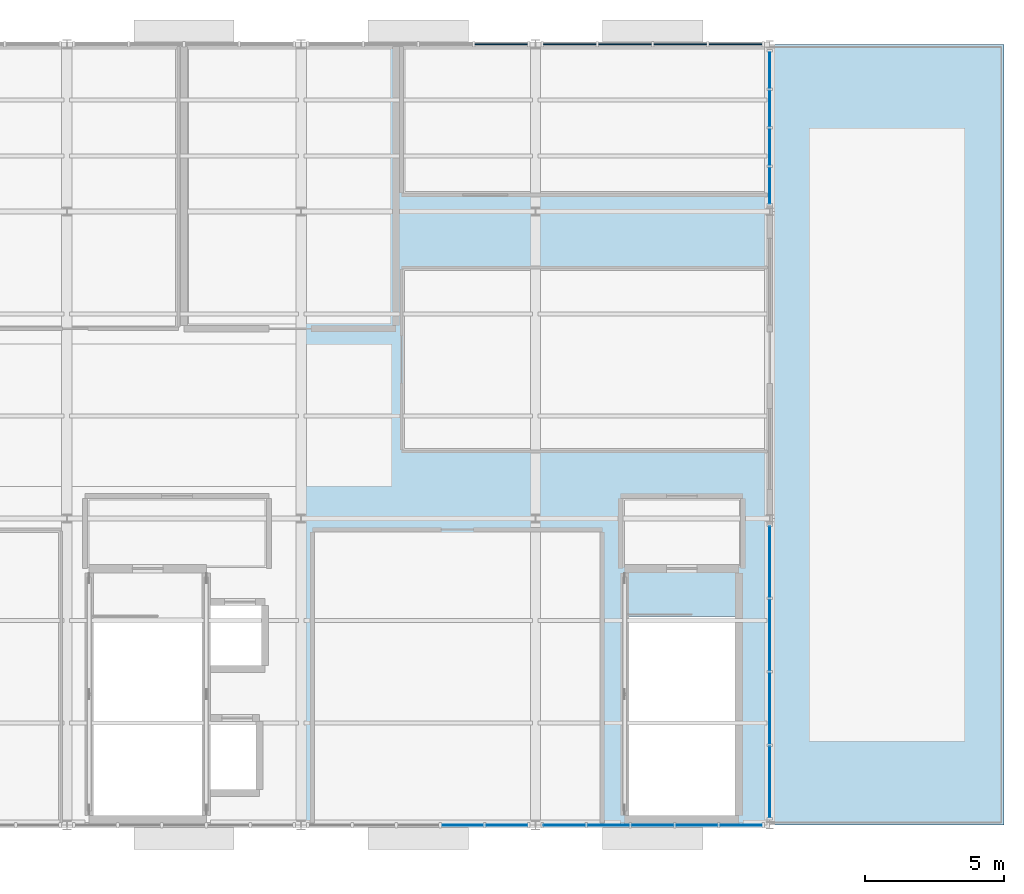
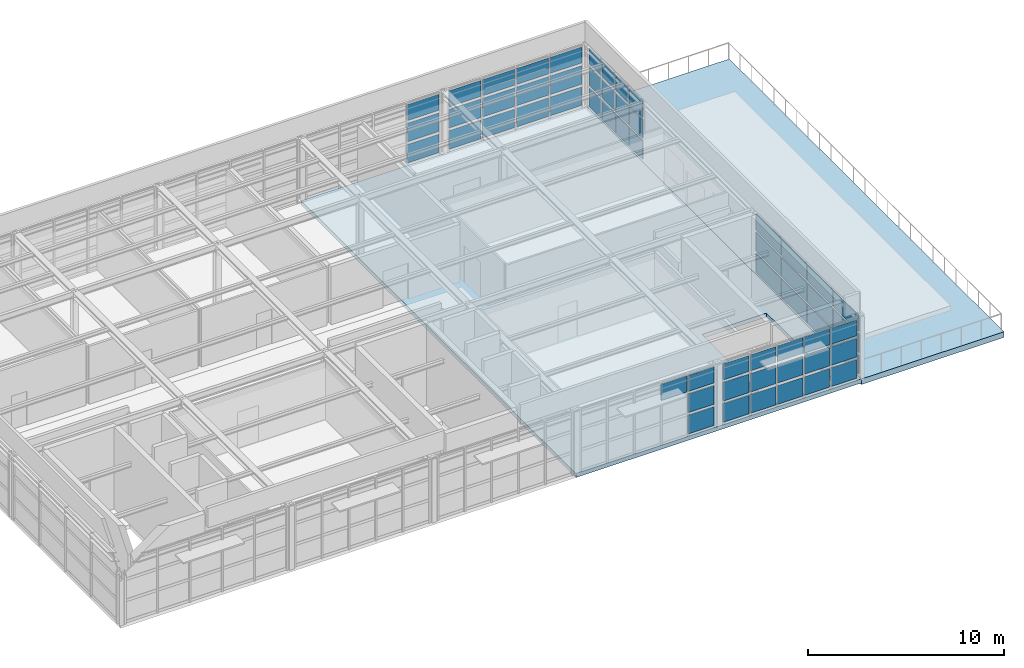
# One storey, part 13 of 18: 58 plates, 2 slabs, 6 elements without a shape of their own.
"""IFC4 building model written with IfcOpenShell, lengths in metres."""

from ifc_helpers import new_model, si_unit, direction, frame, origin, origin_2d, place, context, subcontext, project, spatial, polyline, rectangle, outline, extrude, material, layer, layer_set, type_object, element, aggregate, save


model = new_model("IFC4")

# Units and contexts
model_context = context("Model", 3, precision=1e-05, world=origin(), true_north=direction((0.0, 1.0)))
body_context = subcontext(model_context, "Body", "Model", "MODEL_VIEW")
ifc_project = project(units=[si_unit("LENGTHUNIT", "METRE"), si_unit("AREAUNIT", "SQUARE_METRE"), si_unit("VOLUMEUNIT", "CUBIC_METRE"), si_unit("PLANEANGLEUNIT", "RADIAN"), si_unit("MASSUNIT", "GRAM", prefix="KILO")], contexts=[model_context])

# Site, building, storey
site_placement = place(None, origin())
site = spatial("IfcSite", under=ifc_project, at=site_placement, CompositionType="ELEMENT")
building_placement = place(site_placement, origin())
building = spatial("IfcBuilding", under=site, at=building_placement, Name="Sitalva Quay Ferry Terminal", CompositionType="ELEMENT")
storey_placement = place(building_placement, frame((0.0, 0.0, 18.60009765625)))
storey = spatial("IfcBuildingStorey", under=building, at=storey_placement, Name="L05", CompositionType="ELEMENT", Elevation=18.60009765625)

# Curtain wall, plates
ifc_material_1 = material(Name="Anodised Aluminium & Low-E Glazing", Category="aluminium")
ifc_layer_1 = layer(ifc_material_1, 0.159912109375)
ifc_layer_set_1 = layer_set([ifc_layer_1], Name="Anodised Aluminium & Low-E Glazing")
curtain_wall_type = type_object("IfcCurtainWallType", Name="CW_VTS_Sloped", PredefinedType="USERDEFINED", material=ifc_layer_set_1)
curtain_wall_1_placement = place(storey_placement, origin())
curtain_wall_1 = element("IfcCurtainWall", 1, at=curtain_wall_1_placement, inside=storey, type_object=curtain_wall_type, Name="L05 VTS bridge north glazing (CW-L05-161)", ObjectType="CURTAIN_WALL", PredefinedType="USERDEFINED")
ifc_material_2 = material(Name="Anti-Glare Bridge Laminated Glazing", Category="glass")
ifc_layer_2 = layer(ifc_material_2, 0.0380859375)
ifc_layer_set_2 = layer_set([ifc_layer_2], Name="Anti-Glare Bridge Laminated Glazing")
plate_type_1 = type_object("IfcPlateType", Name="Panel_Bridge_IGU_38", PredefinedType="CURTAIN_PANEL", material=ifc_layer_set_2)
plate_1_placement = place(storey_placement, frame((107.969970703125, 106.0, 1.48486328125), z_axis=(0.0, 0.0, 1.0), x_axis=(1.0, 0.0, 0.0)))
plate_1 = element("IfcPlate", 2, at=plate_1_placement, type_object=plate_type_1, Name="CW-L05-161-P3-1", PredefinedType="CURTAIN_PANEL", context=body_context, shape_type="SweptSolid", body=[
    extrude(rectangle(XDim=1.889892578125, YDim=0.0380859375, at=origin_2d()), origin(), (0.0, 0.0, 1.0), 1.155029296875),
])
plate_2_placement = place(storey_placement, frame((107.969970703125, 106.0, 2.8046875), z_axis=(0.0, 0.0, 1.0), x_axis=(1.0, 0.0, 0.0)))
plate_2 = element("IfcPlate", 3, at=plate_2_placement, type_object=plate_type_1, Name="CW-L05-161-P3-2", PredefinedType="CURTAIN_PANEL", context=body_context, shape_type="SweptSolid", body=[
    extrude(rectangle(XDim=1.889892578125, YDim=0.0380859375, at=origin_2d()), origin(), (0.0, 0.0, 1.0), 0.989990234375),
])

curtain_wall_2_placement = place(storey_placement, origin())
curtain_wall_2 = element("IfcCurtainWall", 4, at=curtain_wall_2_placement, inside=storey, type_object=curtain_wall_type, Name="L05 VTS bridge north glazing (CW-L05-163)", ObjectType="CURTAIN_WALL", PredefinedType="USERDEFINED")
plate_3_placement = place(storey_placement, frame((110.429931640625, 106.0, 1.48486328125), z_axis=(0.0, 0.0, 1.0), x_axis=(1.0, 0.0, 0.0)))
plate_3 = element("IfcPlate", 5, at=plate_3_placement, type_object=plate_type_1, Name="CW-L05-163-P0-1", PredefinedType="CURTAIN_PANEL", context=body_context, shape_type="SweptSolid", body=[
    extrude(rectangle(XDim=1.889892578125, YDim=0.0380859375, at=origin_2d()), origin(), (0.0, 0.0, 1.0), 1.155029296875),
])
plate_4_placement = place(storey_placement, frame((110.429931640625, 106.0, 2.8046875), z_axis=(0.0, 0.0, 1.0), x_axis=(1.0, 0.0, 0.0)))
plate_4 = element("IfcPlate", 6, at=plate_4_placement, type_object=plate_type_1, Name="CW-L05-163-P0-2", PredefinedType="CURTAIN_PANEL", context=body_context, shape_type="SweptSolid", body=[
    extrude(rectangle(XDim=1.889892578125, YDim=0.0380859375, at=origin_2d()), origin(), (0.0, 0.0, 1.0), 0.989990234375),
])
plate_5_placement = place(storey_placement, frame((112.409912109375, 106.0, 1.48486328125), z_axis=(0.0, 0.0, 1.0), x_axis=(1.0, 0.0, 0.0)))
plate_5 = element("IfcPlate", 7, at=plate_5_placement, type_object=plate_type_1, Name="CW-L05-163-P1-1", PredefinedType="CURTAIN_PANEL", context=body_context, shape_type="SweptSolid", body=[
    extrude(rectangle(XDim=1.889892578125, YDim=0.0380859375, at=origin_2d()), origin(), (0.0, 0.0, 1.0), 1.155029296875),
])
plate_6_placement = place(storey_placement, frame((112.409912109375, 106.0, 2.8046875), z_axis=(0.0, 0.0, 1.0), x_axis=(1.0, 0.0, 0.0)))
plate_6 = element("IfcPlate", 8, at=plate_6_placement, type_object=plate_type_1, Name="CW-L05-163-P1-2", PredefinedType="CURTAIN_PANEL", context=body_context, shape_type="SweptSolid", body=[
    extrude(rectangle(XDim=1.889892578125, YDim=0.0380859375, at=origin_2d()), origin(), (0.0, 0.0, 1.0), 0.989990234375),
])
plate_7_placement = place(storey_placement, frame((114.389892578125, 106.0, 1.48486328125), z_axis=(0.0, 0.0, 1.0), x_axis=(1.0, 0.0, 0.0)))
plate_7 = element("IfcPlate", 9, at=plate_7_placement, type_object=plate_type_1, Name="CW-L05-163-P2-1", PredefinedType="CURTAIN_PANEL", context=body_context, shape_type="SweptSolid", body=[
    extrude(rectangle(XDim=1.889892578125, YDim=0.0380859375, at=origin_2d()), origin(), (0.0, 0.0, 1.0), 1.155029296875),
])
plate_8_placement = place(storey_placement, frame((114.389892578125, 106.0, 2.8046875), z_axis=(0.0, 0.0, 1.0), x_axis=(1.0, 0.0, 0.0)))
plate_8 = element("IfcPlate", 10, at=plate_8_placement, type_object=plate_type_1, Name="CW-L05-163-P2-2", PredefinedType="CURTAIN_PANEL", context=body_context, shape_type="SweptSolid", body=[
    extrude(rectangle(XDim=1.889892578125, YDim=0.0380859375, at=origin_2d()), origin(), (0.0, 0.0, 1.0), 0.989990234375),
])
plate_9_placement = place(storey_placement, frame((116.3701171875, 106.0, 1.48486328125), z_axis=(0.0, 0.0, 1.0), x_axis=(1.0, 0.0, 0.0)))
plate_9 = element("IfcPlate", 11, at=plate_9_placement, type_object=plate_type_1, Name="CW-L05-163-P3-1", PredefinedType="CURTAIN_PANEL", context=body_context, shape_type="SweptSolid", body=[
    extrude(rectangle(XDim=1.889892578125, YDim=0.0380859375, at=origin_2d()), origin(), (0.0, 0.0, 1.0), 1.155029296875),
])
plate_10_placement = place(storey_placement, frame((116.3701171875, 106.0, 2.8046875), z_axis=(0.0, 0.0, 1.0), x_axis=(1.0, 0.0, 0.0)))
plate_10 = element("IfcPlate", 12, at=plate_10_placement, type_object=plate_type_1, Name="CW-L05-163-P3-2", PredefinedType="CURTAIN_PANEL", context=body_context, shape_type="SweptSolid", body=[
    extrude(rectangle(XDim=1.889892578125, YDim=0.0380859375, at=origin_2d()), origin(), (0.0, 0.0, 1.0), 0.989990234375),
])

curtain_wall_3_placement = place(storey_placement, origin())
curtain_wall_3 = element("IfcCurtainWall", 13, at=curtain_wall_3_placement, inside=storey, type_object=curtain_wall_type, Name="L05 VTS east panoramic glazing (CW-L05-150)", ObjectType="CURTAIN_WALL", PredefinedType="USERDEFINED")
ifc_material_3 = material(Name="Acoustic Laminated Marine Glazing", Category="glass")
ifc_layer_3 = layer(ifc_material_3, 0.033935546875)
ifc_layer_set_3 = layer_set([ifc_layer_3], Name="Acoustic Laminated Marine Glazing")
plate_type_2 = type_object("IfcPlateType", Name="Panel_Marine_IGU_34", PredefinedType="CURTAIN_PANEL", material=ifc_layer_set_3)
plate_11_placement = place(storey_placement, frame((117.60009765625, 79.554931640625, 0.1650390625), z_axis=(0.0, 0.0, 1.0), x_axis=(0.0, 1.0, 0.0)))
plate_11 = element("IfcPlate", 14, at=plate_11_placement, type_object=plate_type_2, Name="CW-L05-150-P0-0", PredefinedType="CURTAIN_PANEL", context=body_context, shape_type="SweptSolid", body=[
    extrude(rectangle(XDim=2.5400390625, YDim=0.033935546875, at=origin_2d()), origin(), (0.0, 0.0, 1.0), 1.155029296875),
])
plate_12_placement = place(storey_placement, frame((117.60009765625, 79.554931640625, 1.48486328125), z_axis=(0.0, 0.0, 1.0), x_axis=(0.0, 1.0, 0.0)))
plate_12 = element("IfcPlate", 15, at=plate_12_placement, type_object=plate_type_2, Name="CW-L05-150-P0-1", PredefinedType="CURTAIN_PANEL", context=body_context, shape_type="SweptSolid", body=[
    extrude(rectangle(XDim=2.5400390625, YDim=0.033935546875, at=origin_2d()), origin(), (0.0, 0.0, 1.0), 1.155029296875),
])
plate_13_placement = place(storey_placement, frame((117.60009765625, 79.554931640625, 2.8046875), z_axis=(0.0, 0.0, 1.0), x_axis=(0.0, 1.0, 0.0)))
plate_13 = element("IfcPlate", 16, at=plate_13_placement, type_object=plate_type_2, Name="CW-L05-150-P0-2", PredefinedType="CURTAIN_PANEL", context=body_context, shape_type="SweptSolid", body=[
    extrude(rectangle(XDim=2.5400390625, YDim=0.033935546875, at=origin_2d()), origin(), (0.0, 0.0, 1.0), 0.989990234375),
])
plate_14_placement = place(storey_placement, frame((117.60009765625, 82.18505859375, 0.1650390625), z_axis=(0.0, 0.0, 1.0), x_axis=(0.0, 1.0, 0.0)))
plate_14 = element("IfcPlate", 17, at=plate_14_placement, type_object=plate_type_2, Name="CW-L05-150-P1-0", PredefinedType="CURTAIN_PANEL", context=body_context, shape_type="SweptSolid", body=[
    extrude(rectangle(XDim=2.5400390625, YDim=0.033935546875, at=origin_2d()), origin(), (0.0, 0.0, 1.0), 1.155029296875),
])
plate_15_placement = place(storey_placement, frame((117.60009765625, 82.18505859375, 1.48486328125), z_axis=(0.0, 0.0, 1.0), x_axis=(0.0, 1.0, 0.0)))
plate_15 = element("IfcPlate", 18, at=plate_15_placement, type_object=plate_type_2, Name="CW-L05-150-P1-1", PredefinedType="CURTAIN_PANEL", context=body_context, shape_type="SweptSolid", body=[
    extrude(rectangle(XDim=2.5400390625, YDim=0.033935546875, at=origin_2d()), origin(), (0.0, 0.0, 1.0), 1.155029296875),
])
plate_16_placement = place(storey_placement, frame((117.60009765625, 82.18505859375, 2.8046875), z_axis=(0.0, 0.0, 1.0), x_axis=(0.0, 1.0, 0.0)))
plate_16 = element("IfcPlate", 19, at=plate_16_placement, type_object=plate_type_2, Name="CW-L05-150-P1-2", PredefinedType="CURTAIN_PANEL", context=body_context, shape_type="SweptSolid", body=[
    extrude(rectangle(XDim=2.5400390625, YDim=0.033935546875, at=origin_2d()), origin(), (0.0, 0.0, 1.0), 0.989990234375),
])
plate_17_placement = place(storey_placement, frame((117.60009765625, 84.81494140625, 0.1650390625), z_axis=(0.0, 0.0, 1.0), x_axis=(0.0, 1.0, 0.0)))
plate_17 = element("IfcPlate", 20, at=plate_17_placement, type_object=plate_type_2, Name="CW-L05-150-P2-0", PredefinedType="CURTAIN_PANEL", context=body_context, shape_type="SweptSolid", body=[
    extrude(rectangle(XDim=2.5400390625, YDim=0.033935546875, at=origin_2d()), origin(), (0.0, 0.0, 1.0), 1.155029296875),
])
plate_18_placement = place(storey_placement, frame((117.60009765625, 84.81494140625, 1.48486328125), z_axis=(0.0, 0.0, 1.0), x_axis=(0.0, 1.0, 0.0)))
plate_18 = element("IfcPlate", 21, at=plate_18_placement, type_object=plate_type_2, Name="CW-L05-150-P2-1", PredefinedType="CURTAIN_PANEL", context=body_context, shape_type="SweptSolid", body=[
    extrude(rectangle(XDim=2.5400390625, YDim=0.033935546875, at=origin_2d()), origin(), (0.0, 0.0, 1.0), 1.155029296875),
])
plate_19_placement = place(storey_placement, frame((117.60009765625, 84.81494140625, 2.8046875), z_axis=(0.0, 0.0, 1.0), x_axis=(0.0, 1.0, 0.0)))
plate_19 = element("IfcPlate", 22, at=plate_19_placement, type_object=plate_type_2, Name="CW-L05-150-P2-2", PredefinedType="CURTAIN_PANEL", context=body_context, shape_type="SweptSolid", body=[
    extrude(rectangle(XDim=2.5400390625, YDim=0.033935546875, at=origin_2d()), origin(), (0.0, 0.0, 1.0), 0.989990234375),
])
plate_20_placement = place(storey_placement, frame((117.60009765625, 87.445068359375, 0.1650390625), z_axis=(0.0, 0.0, 1.0), x_axis=(0.0, 1.0, 0.0)))
plate_20 = element("IfcPlate", 23, at=plate_20_placement, type_object=plate_type_2, Name="CW-L05-150-P3-0", PredefinedType="CURTAIN_PANEL", context=body_context, shape_type="SweptSolid", body=[
    extrude(rectangle(XDim=2.5400390625, YDim=0.033935546875, at=origin_2d()), origin(), (0.0, 0.0, 1.0), 1.155029296875),
])
plate_21_placement = place(storey_placement, frame((117.60009765625, 87.445068359375, 1.48486328125), z_axis=(0.0, 0.0, 1.0), x_axis=(0.0, 1.0, 0.0)))
plate_21 = element("IfcPlate", 24, at=plate_21_placement, type_object=plate_type_2, Name="CW-L05-150-P3-1", PredefinedType="CURTAIN_PANEL", context=body_context, shape_type="SweptSolid", body=[
    extrude(rectangle(XDim=2.5400390625, YDim=0.033935546875, at=origin_2d()), origin(), (0.0, 0.0, 1.0), 1.155029296875),
])
plate_22_placement = place(storey_placement, frame((117.60009765625, 87.445068359375, 2.8046875), z_axis=(0.0, 0.0, 1.0), x_axis=(0.0, 1.0, 0.0)))
plate_22 = element("IfcPlate", 25, at=plate_22_placement, type_object=plate_type_2, Name="CW-L05-150-P3-2", PredefinedType="CURTAIN_PANEL", context=body_context, shape_type="SweptSolid", body=[
    extrude(rectangle(XDim=2.5400390625, YDim=0.033935546875, at=origin_2d()), origin(), (0.0, 0.0, 1.0), 0.989990234375),
])
aggregate(curtain_wall_3, [plate_11, plate_12, plate_13, plate_14, plate_15, plate_16, plate_17, plate_18, plate_19, plate_20, plate_21, plate_22])

curtain_wall_4_placement = place(storey_placement, origin())
curtain_wall_4 = element("IfcCurtainWall", 26, at=curtain_wall_4_placement, inside=storey, type_object=curtain_wall_type, Name="L05 VTS east panoramic glazing (CW-L05-153)", ObjectType="CURTAIN_WALL", PredefinedType="USERDEFINED")
plate_23_placement = place(storey_placement, frame((117.60009765625, 100.929931640625, 0.1650390625), z_axis=(0.0, 0.0, 1.0), x_axis=(0.0, 1.0, 0.0)))
plate_23 = element("IfcPlate", 27, at=plate_23_placement, type_object=plate_type_2, Name="CW-L05-153-P0-0", PredefinedType="CURTAIN_PANEL", context=body_context, shape_type="SweptSolid", body=[
    extrude(rectangle(XDim=1.2900390625, YDim=0.033935546875, at=origin_2d()), origin(), (0.0, 0.0, 1.0), 1.155029296875),
])
plate_24_placement = place(storey_placement, frame((117.60009765625, 100.929931640625, 1.48486328125), z_axis=(0.0, 0.0, 1.0), x_axis=(0.0, 1.0, 0.0)))
plate_24 = element("IfcPlate", 28, at=plate_24_placement, type_object=plate_type_2, Name="CW-L05-153-P0-1", PredefinedType="CURTAIN_PANEL", context=body_context, shape_type="SweptSolid", body=[
    extrude(rectangle(XDim=1.2900390625, YDim=0.033935546875, at=origin_2d()), origin(), (0.0, 0.0, 1.0), 1.155029296875),
])
plate_25_placement = place(storey_placement, frame((117.60009765625, 100.929931640625, 2.8046875), z_axis=(0.0, 0.0, 1.0), x_axis=(0.0, 1.0, 0.0)))
plate_25 = element("IfcPlate", 29, at=plate_25_placement, type_object=plate_type_2, Name="CW-L05-153-P0-2", PredefinedType="CURTAIN_PANEL", context=body_context, shape_type="SweptSolid", body=[
    extrude(rectangle(XDim=1.2900390625, YDim=0.033935546875, at=origin_2d()), origin(), (0.0, 0.0, 1.0), 0.989990234375),
])
plate_26_placement = place(storey_placement, frame((117.60009765625, 102.31005859375, 0.1650390625), z_axis=(0.0, 0.0, 1.0), x_axis=(0.0, 1.0, 0.0)))
plate_26 = element("IfcPlate", 30, at=plate_26_placement, type_object=plate_type_2, Name="CW-L05-153-P1-0", PredefinedType="CURTAIN_PANEL", context=body_context, shape_type="SweptSolid", body=[
    extrude(rectangle(XDim=1.2900390625, YDim=0.033935546875, at=origin_2d()), origin(), (0.0, 0.0, 1.0), 1.155029296875),
])
plate_27_placement = place(storey_placement, frame((117.60009765625, 102.31005859375, 1.48486328125), z_axis=(0.0, 0.0, 1.0), x_axis=(0.0, 1.0, 0.0)))
plate_27 = element("IfcPlate", 31, at=plate_27_placement, type_object=plate_type_2, Name="CW-L05-153-P1-1", PredefinedType="CURTAIN_PANEL", context=body_context, shape_type="SweptSolid", body=[
    extrude(rectangle(XDim=1.2900390625, YDim=0.033935546875, at=origin_2d()), origin(), (0.0, 0.0, 1.0), 1.155029296875),
])
plate_28_placement = place(storey_placement, frame((117.60009765625, 102.31005859375, 2.8046875), z_axis=(0.0, 0.0, 1.0), x_axis=(0.0, 1.0, 0.0)))
plate_28 = element("IfcPlate", 32, at=plate_28_placement, type_object=plate_type_2, Name="CW-L05-153-P1-2", PredefinedType="CURTAIN_PANEL", context=body_context, shape_type="SweptSolid", body=[
    extrude(rectangle(XDim=1.2900390625, YDim=0.033935546875, at=origin_2d()), origin(), (0.0, 0.0, 1.0), 0.989990234375),
])
plate_29_placement = place(storey_placement, frame((117.60009765625, 103.68994140625, 0.1650390625), z_axis=(0.0, 0.0, 1.0), x_axis=(0.0, 1.0, 0.0)))
plate_29 = element("IfcPlate", 33, at=plate_29_placement, type_object=plate_type_2, Name="CW-L05-153-P2-0", PredefinedType="CURTAIN_PANEL", context=body_context, shape_type="SweptSolid", body=[
    extrude(rectangle(XDim=1.2900390625, YDim=0.033935546875, at=origin_2d()), origin(), (0.0, 0.0, 1.0), 1.155029296875),
])
plate_30_placement = place(storey_placement, frame((117.60009765625, 103.68994140625, 1.48486328125), z_axis=(0.0, 0.0, 1.0), x_axis=(0.0, 1.0, 0.0)))
plate_30 = element("IfcPlate", 34, at=plate_30_placement, type_object=plate_type_2, Name="CW-L05-153-P2-1", PredefinedType="CURTAIN_PANEL", context=body_context, shape_type="SweptSolid", body=[
    extrude(rectangle(XDim=1.2900390625, YDim=0.033935546875, at=origin_2d()), origin(), (0.0, 0.0, 1.0), 1.155029296875),
])
plate_31_placement = place(storey_placement, frame((117.60009765625, 103.68994140625, 2.8046875), z_axis=(0.0, 0.0, 1.0), x_axis=(0.0, 1.0, 0.0)))
plate_31 = element("IfcPlate", 35, at=plate_31_placement, type_object=plate_type_2, Name="CW-L05-153-P2-2", PredefinedType="CURTAIN_PANEL", context=body_context, shape_type="SweptSolid", body=[
    extrude(rectangle(XDim=1.2900390625, YDim=0.033935546875, at=origin_2d()), origin(), (0.0, 0.0, 1.0), 0.989990234375),
])
plate_32_placement = place(storey_placement, frame((117.60009765625, 105.070068359375, 0.1650390625), z_axis=(0.0, 0.0, 1.0), x_axis=(0.0, 1.0, 0.0)))
plate_32 = element("IfcPlate", 36, at=plate_32_placement, type_object=plate_type_2, Name="CW-L05-153-P3-0", PredefinedType="CURTAIN_PANEL", context=body_context, shape_type="SweptSolid", body=[
    extrude(rectangle(XDim=1.2900390625, YDim=0.033935546875, at=origin_2d()), origin(), (0.0, 0.0, 1.0), 1.155029296875),
])
plate_33_placement = place(storey_placement, frame((117.60009765625, 105.070068359375, 1.48486328125), z_axis=(0.0, 0.0, 1.0), x_axis=(0.0, 1.0, 0.0)))
plate_33 = element("IfcPlate", 37, at=plate_33_placement, type_object=plate_type_2, Name="CW-L05-153-P3-1", PredefinedType="CURTAIN_PANEL", context=body_context, shape_type="SweptSolid", body=[
    extrude(rectangle(XDim=1.2900390625, YDim=0.033935546875, at=origin_2d()), origin(), (0.0, 0.0, 1.0), 1.155029296875),
])
plate_34_placement = place(storey_placement, frame((117.60009765625, 105.070068359375, 2.8046875), z_axis=(0.0, 0.0, 1.0), x_axis=(0.0, 1.0, 0.0)))
plate_34 = element("IfcPlate", 38, at=plate_34_placement, type_object=plate_type_2, Name="CW-L05-153-P3-2", PredefinedType="CURTAIN_PANEL", context=body_context, shape_type="SweptSolid", body=[
    extrude(rectangle(XDim=1.2900390625, YDim=0.033935546875, at=origin_2d()), origin(), (0.0, 0.0, 1.0), 0.989990234375),
])
aggregate(curtain_wall_4, [plate_23, plate_24, plate_25, plate_26, plate_27, plate_28, plate_29, plate_30, plate_31, plate_32, plate_33, plate_34])

curtain_wall_5_placement = place(storey_placement, origin())
curtain_wall_5 = element("IfcCurtainWall", 39, at=curtain_wall_5_placement, inside=storey, type_object=curtain_wall_type, Name="L05 VTS river-view panoramic south glazing (CW-L05-160)", ObjectType="CURTAIN_WALL", PredefinedType="USERDEFINED")
plate_35_placement = place(storey_placement, frame((106.583984375, 78.0, 2.8046875), z_axis=(0.0, 0.0, 1.0), x_axis=(1.0, 0.0, 0.0)))
plate_35 = element("IfcPlate", 40, at=plate_35_placement, type_object=plate_type_2, Name="CW-L05-160-P3-2", PredefinedType="CURTAIN_PANEL", context=body_context, shape_type="SweptSolid", body=[
    extrude(rectangle(XDim=1.493896484375, YDim=0.033935546875, at=origin_2d()), origin(), (0.0, 0.0, 1.0), 0.989990234375),
])
plate_36_placement = place(storey_placement, frame((108.16796875, 78.0, 0.1650390625), z_axis=(0.0, 0.0, 1.0), x_axis=(1.0, 0.0, 0.0)))
plate_36 = element("IfcPlate", 41, at=plate_36_placement, type_object=plate_type_2, Name="CW-L05-160-P4-0", PredefinedType="CURTAIN_PANEL", context=body_context, shape_type="SweptSolid", body=[
    extrude(rectangle(XDim=1.493896484375, YDim=0.033935546875, at=origin_2d()), origin(), (0.0, 0.0, 1.0), 1.155029296875),
])
plate_37_placement = place(storey_placement, frame((108.16796875, 78.0, 1.48486328125), z_axis=(0.0, 0.0, 1.0), x_axis=(1.0, 0.0, 0.0)))
plate_37 = element("IfcPlate", 42, at=plate_37_placement, type_object=plate_type_2, Name="CW-L05-160-P4-1", PredefinedType="CURTAIN_PANEL", context=body_context, shape_type="SweptSolid", body=[
    extrude(rectangle(XDim=1.493896484375, YDim=0.033935546875, at=origin_2d()), origin(), (0.0, 0.0, 1.0), 1.155029296875),
])
plate_38_placement = place(storey_placement, frame((108.16796875, 78.0, 2.8046875), z_axis=(0.0, 0.0, 1.0), x_axis=(1.0, 0.0, 0.0)))
plate_38 = element("IfcPlate", 43, at=plate_38_placement, type_object=plate_type_2, Name="CW-L05-160-P4-2", PredefinedType="CURTAIN_PANEL", context=body_context, shape_type="SweptSolid", body=[
    extrude(rectangle(XDim=1.493896484375, YDim=0.033935546875, at=origin_2d()), origin(), (0.0, 0.0, 1.0), 0.989990234375),
])
aggregate(curtain_wall_5, [plate_35, plate_36, plate_37, plate_38])

curtain_wall_6_placement = place(storey_placement, origin())
curtain_wall_6 = element("IfcCurtainWall", 44, at=curtain_wall_6_placement, inside=storey, type_object=curtain_wall_type, Name="L05 VTS river-view panoramic south glazing (CW-L05-162)", ObjectType="CURTAIN_WALL", PredefinedType="USERDEFINED")
plate_39_placement = place(storey_placement, frame((110.23193359375, 78.0, 0.1650390625), z_axis=(0.0, 0.0, 1.0), x_axis=(1.0, 0.0, 0.0)))
plate_39 = element("IfcPlate", 45, at=plate_39_placement, type_object=plate_type_2, Name="CW-L05-162-P0-0", PredefinedType="CURTAIN_PANEL", context=body_context, shape_type="SweptSolid", body=[
    extrude(rectangle(XDim=1.493896484375, YDim=0.033935546875, at=origin_2d()), origin(), (0.0, 0.0, 1.0), 1.155029296875),
])
plate_40_placement = place(storey_placement, frame((110.23193359375, 78.0, 1.48486328125), z_axis=(0.0, 0.0, 1.0), x_axis=(1.0, 0.0, 0.0)))
plate_40 = element("IfcPlate", 46, at=plate_40_placement, type_object=plate_type_2, Name="CW-L05-162-P0-1", PredefinedType="CURTAIN_PANEL", context=body_context, shape_type="SweptSolid", body=[
    extrude(rectangle(XDim=1.493896484375, YDim=0.033935546875, at=origin_2d()), origin(), (0.0, 0.0, 1.0), 1.155029296875),
])
plate_41_placement = place(storey_placement, frame((110.23193359375, 78.0, 2.8046875), z_axis=(0.0, 0.0, 1.0), x_axis=(1.0, 0.0, 0.0)))
plate_41 = element("IfcPlate", 47, at=plate_41_placement, type_object=plate_type_2, Name="CW-L05-162-P0-2", PredefinedType="CURTAIN_PANEL", context=body_context, shape_type="SweptSolid", body=[
    extrude(rectangle(XDim=1.493896484375, YDim=0.033935546875, at=origin_2d()), origin(), (0.0, 0.0, 1.0), 0.989990234375),
])
plate_42_placement = place(storey_placement, frame((111.81591796875, 78.0, 0.1650390625), z_axis=(0.0, 0.0, 1.0), x_axis=(1.0, 0.0, 0.0)))
plate_42 = element("IfcPlate", 48, at=plate_42_placement, type_object=plate_type_2, Name="CW-L05-162-P1-0", PredefinedType="CURTAIN_PANEL", context=body_context, shape_type="SweptSolid", body=[
    extrude(rectangle(XDim=1.493896484375, YDim=0.033935546875, at=origin_2d()), origin(), (0.0, 0.0, 1.0), 1.155029296875),
])
plate_43_placement = place(storey_placement, frame((111.81591796875, 78.0, 1.48486328125), z_axis=(0.0, 0.0, 1.0), x_axis=(1.0, 0.0, 0.0)))
plate_43 = element("IfcPlate", 49, at=plate_43_placement, type_object=plate_type_2, Name="CW-L05-162-P1-1", PredefinedType="CURTAIN_PANEL", context=body_context, shape_type="SweptSolid", body=[
    extrude(rectangle(XDim=1.493896484375, YDim=0.033935546875, at=origin_2d()), origin(), (0.0, 0.0, 1.0), 1.155029296875),
])
plate_44_placement = place(storey_placement, frame((111.81591796875, 78.0, 2.8046875), z_axis=(0.0, 0.0, 1.0), x_axis=(1.0, 0.0, 0.0)))
plate_44 = element("IfcPlate", 50, at=plate_44_placement, type_object=plate_type_2, Name="CW-L05-162-P1-2", PredefinedType="CURTAIN_PANEL", context=body_context, shape_type="SweptSolid", body=[
    extrude(rectangle(XDim=1.493896484375, YDim=0.033935546875, at=origin_2d()), origin(), (0.0, 0.0, 1.0), 0.989990234375),
])
plate_45_placement = place(storey_placement, frame((113.39990234375, 78.0, 0.1650390625), z_axis=(0.0, 0.0, 1.0), x_axis=(1.0, 0.0, 0.0)))
plate_45 = element("IfcPlate", 51, at=plate_45_placement, type_object=plate_type_2, Name="CW-L05-162-P2-0", PredefinedType="CURTAIN_PANEL", context=body_context, shape_type="SweptSolid", body=[
    extrude(rectangle(XDim=1.493896484375, YDim=0.033935546875, at=origin_2d()), origin(), (0.0, 0.0, 1.0), 1.155029296875),
])
plate_46_placement = place(storey_placement, frame((113.39990234375, 78.0, 1.48486328125), z_axis=(0.0, 0.0, 1.0), x_axis=(1.0, 0.0, 0.0)))
plate_46 = element("IfcPlate", 52, at=plate_46_placement, type_object=plate_type_2, Name="CW-L05-162-P2-1", PredefinedType="CURTAIN_PANEL", context=body_context, shape_type="SweptSolid", body=[
    extrude(rectangle(XDim=1.493896484375, YDim=0.033935546875, at=origin_2d()), origin(), (0.0, 0.0, 1.0), 1.155029296875),
])
plate_47_placement = place(storey_placement, frame((113.39990234375, 78.0, 2.8046875), z_axis=(0.0, 0.0, 1.0), x_axis=(1.0, 0.0, 0.0)))
plate_47 = element("IfcPlate", 53, at=plate_47_placement, type_object=plate_type_2, Name="CW-L05-162-P2-2", PredefinedType="CURTAIN_PANEL", context=body_context, shape_type="SweptSolid", body=[
    extrude(rectangle(XDim=1.493896484375, YDim=0.033935546875, at=origin_2d()), origin(), (0.0, 0.0, 1.0), 0.989990234375),
])
plate_48_placement = place(storey_placement, frame((114.98388671875, 78.0, 0.1650390625), z_axis=(0.0, 0.0, 1.0), x_axis=(1.0, 0.0, 0.0)))
plate_48 = element("IfcPlate", 54, at=plate_48_placement, type_object=plate_type_2, Name="CW-L05-162-P3-0", PredefinedType="CURTAIN_PANEL", context=body_context, shape_type="SweptSolid", body=[
    extrude(rectangle(XDim=1.493896484375, YDim=0.033935546875, at=origin_2d()), origin(), (0.0, 0.0, 1.0), 1.155029296875),
])
plate_49_placement = place(storey_placement, frame((114.98388671875, 78.0, 1.48486328125), z_axis=(0.0, 0.0, 1.0), x_axis=(1.0, 0.0, 0.0)))
plate_49 = element("IfcPlate", 55, at=plate_49_placement, type_object=plate_type_2, Name="CW-L05-162-P3-1", PredefinedType="CURTAIN_PANEL", context=body_context, shape_type="SweptSolid", body=[
    extrude(rectangle(XDim=1.493896484375, YDim=0.033935546875, at=origin_2d()), origin(), (0.0, 0.0, 1.0), 1.155029296875),
])
plate_50_placement = place(storey_placement, frame((114.98388671875, 78.0, 2.8046875), z_axis=(0.0, 0.0, 1.0), x_axis=(1.0, 0.0, 0.0)))
plate_50 = element("IfcPlate", 56, at=plate_50_placement, type_object=plate_type_2, Name="CW-L05-162-P3-2", PredefinedType="CURTAIN_PANEL", context=body_context, shape_type="SweptSolid", body=[
    extrude(rectangle(XDim=1.493896484375, YDim=0.033935546875, at=origin_2d()), origin(), (0.0, 0.0, 1.0), 0.989990234375),
])
plate_51_placement = place(storey_placement, frame((116.568115234375, 78.0, 0.1650390625), z_axis=(0.0, 0.0, 1.0), x_axis=(1.0, 0.0, 0.0)))
plate_51 = element("IfcPlate", 57, at=plate_51_placement, type_object=plate_type_2, Name="CW-L05-162-P4-0", PredefinedType="CURTAIN_PANEL", context=body_context, shape_type="SweptSolid", body=[
    extrude(rectangle(XDim=1.493896484375, YDim=0.033935546875, at=origin_2d()), origin(), (0.0, 0.0, 1.0), 1.155029296875),
])
plate_52_placement = place(storey_placement, frame((116.568115234375, 78.0, 1.48486328125), z_axis=(0.0, 0.0, 1.0), x_axis=(1.0, 0.0, 0.0)))
plate_52 = element("IfcPlate", 58, at=plate_52_placement, type_object=plate_type_2, Name="CW-L05-162-P4-1", PredefinedType="CURTAIN_PANEL", context=body_context, shape_type="SweptSolid", body=[
    extrude(rectangle(XDim=1.493896484375, YDim=0.033935546875, at=origin_2d()), origin(), (0.0, 0.0, 1.0), 1.155029296875),
])
plate_53_placement = place(storey_placement, frame((116.568115234375, 78.0, 2.8046875), z_axis=(0.0, 0.0, 1.0), x_axis=(1.0, 0.0, 0.0)))
plate_53 = element("IfcPlate", 59, at=plate_53_placement, type_object=plate_type_2, Name="CW-L05-162-P4-2", PredefinedType="CURTAIN_PANEL", context=body_context, shape_type="SweptSolid", body=[
    extrude(rectangle(XDim=1.493896484375, YDim=0.033935546875, at=origin_2d()), origin(), (0.0, 0.0, 1.0), 0.989990234375),
])
aggregate(curtain_wall_6, [plate_39, plate_40, plate_41, plate_42, plate_43, plate_44, plate_45, plate_46, plate_47, plate_48, plate_49, plate_50, plate_51, plate_52, plate_53])

# Plate
ifc_material_4 = material(Name="Insulated Spandrel Cassette", Category="aluminium")
ifc_layer_4 = layer(ifc_material_4, 0.0400390625)
ifc_layer_set_4 = layer_set([ifc_layer_4], Name="Insulated Spandrel Cassette")
plate_type_3 = type_object("IfcPlateType", Name="Panel_Spandrel_Alu_40", PredefinedType="CURTAIN_PANEL", material=ifc_layer_set_4)
plate_54_placement = place(storey_placement, frame((107.969970703125, 106.0, 0.1650390625), z_axis=(0.0, 0.0, 1.0), x_axis=(1.0, 0.0, 0.0)))
plate_54 = element("IfcPlate", 60, at=plate_54_placement, type_object=plate_type_3, Name="CW-L05-161-P3-0", PredefinedType="CURTAIN_PANEL", context=body_context, shape_type="SweptSolid", body=[
    extrude(rectangle(XDim=1.889892578125, YDim=0.0400390625, at=origin_2d()), origin(), (0.0, 0.0, 1.0), 1.155029296875),
])

aggregate(curtain_wall_1, [plate_54, plate_1, plate_2])

plate_55_placement = place(storey_placement, frame((110.429931640625, 106.0, 0.1650390625), z_axis=(0.0, 0.0, 1.0), x_axis=(1.0, 0.0, 0.0)))
plate_55 = element("IfcPlate", 61, at=plate_55_placement, type_object=plate_type_3, Name="CW-L05-163-P0-0", PredefinedType="CURTAIN_PANEL", context=body_context, shape_type="SweptSolid", body=[
    extrude(rectangle(XDim=1.889892578125, YDim=0.0400390625, at=origin_2d()), origin(), (0.0, 0.0, 1.0), 1.155029296875),
])

plate_56_placement = place(storey_placement, frame((112.409912109375, 106.0, 0.1650390625), z_axis=(0.0, 0.0, 1.0), x_axis=(1.0, 0.0, 0.0)))
plate_56 = element("IfcPlate", 62, at=plate_56_placement, type_object=plate_type_3, Name="CW-L05-163-P1-0", PredefinedType="CURTAIN_PANEL", context=body_context, shape_type="SweptSolid", body=[
    extrude(rectangle(XDim=1.889892578125, YDim=0.0400390625, at=origin_2d()), origin(), (0.0, 0.0, 1.0), 1.155029296875),
])

plate_57_placement = place(storey_placement, frame((114.389892578125, 106.0, 0.1650390625), z_axis=(0.0, 0.0, 1.0), x_axis=(1.0, 0.0, 0.0)))
plate_57 = element("IfcPlate", 63, at=plate_57_placement, type_object=plate_type_3, Name="CW-L05-163-P2-0", PredefinedType="CURTAIN_PANEL", context=body_context, shape_type="SweptSolid", body=[
    extrude(rectangle(XDim=1.889892578125, YDim=0.0400390625, at=origin_2d()), origin(), (0.0, 0.0, 1.0), 1.155029296875),
])

plate_58_placement = place(storey_placement, frame((116.3701171875, 106.0, 0.1650390625), z_axis=(0.0, 0.0, 1.0), x_axis=(1.0, 0.0, 0.0)))
plate_58 = element("IfcPlate", 64, at=plate_58_placement, type_object=plate_type_3, Name="CW-L05-163-P3-0", PredefinedType="CURTAIN_PANEL", context=body_context, shape_type="SweptSolid", body=[
    extrude(rectangle(XDim=1.889892578125, YDim=0.0400390625, at=origin_2d()), origin(), (0.0, 0.0, 1.0), 1.155029296875),
])

aggregate(curtain_wall_2, [plate_55, plate_3, plate_4, plate_56, plate_5, plate_6, plate_57, plate_7, plate_8, plate_58, plate_9, plate_10])

# Slabs
ifc_material_5 = material(Name="Concrete C35/45", Category="concrete")
ifc_layer_5 = layer(ifc_material_5, 0.25)
ifc_layer_set_5 = layer_set([ifc_layer_5], Name="Concrete C35/45")
slab_type_1 = type_object("IfcSlabType", Name="Slab_Office_250", PredefinedType="FLOOR", material=ifc_layer_set_5)
slab_1_placement = place(storey_placement, frame((0.0, 0.0, -0.25)))
element("IfcSlab", 65, at=slab_1_placement, inside=storey, type_object=slab_type_1, Name="L05 VTS bridge L05 east 067", PredefinedType="FLOOR", context=body_context, shape_type="SweptSolid", body=[
    extrude(outline(polyline([(100.800048828125, 78.0), (117.60009765625, 78.0), (117.60009765625, 106.0), (100.800048828125, 106.0), (100.800048828125, 78.0)]), holes=[polyline([(112.550048828125, 78.35009765625), (112.550048828125, 85.489990234375), (116.35009765625, 85.489990234375), (116.35009765625, 78.35009765625), (112.550048828125, 78.35009765625)])]), origin(), (0.0, 0.0, 1.0), 0.25),
])
ifc_material_6 = material(Name="Concrete C35/45", Category="concrete")
ifc_layer_6 = layer(ifc_material_6, 0.35009765625)
ifc_layer_set_6 = layer_set([ifc_layer_6], Name="Concrete C35/45")
slab_type_2 = type_object("IfcSlabType", Name="Slab_RoofGarden_350", PredefinedType="ROOF", material=ifc_layer_set_6)
slab_2_placement = place(storey_placement, frame((0.0, 0.0, -0.35009765625)))
element("IfcSlab", 66, at=slab_2_placement, inside=storey, type_object=slab_type_2, Name="L05 L05 east lookout roof garden 065", PredefinedType="ROOF", context=body_context, shape_type="SweptSolid", body=[
    extrude(outline(polyline([(117.60009765625, 78.0), (126.0, 78.0), (126.0, 106.0), (117.60009765625, 106.0), (117.60009765625, 78.0)])), origin(), (0.0, 0.0, 1.0), 0.35009765625),
])

save(model, "model.ifc")
